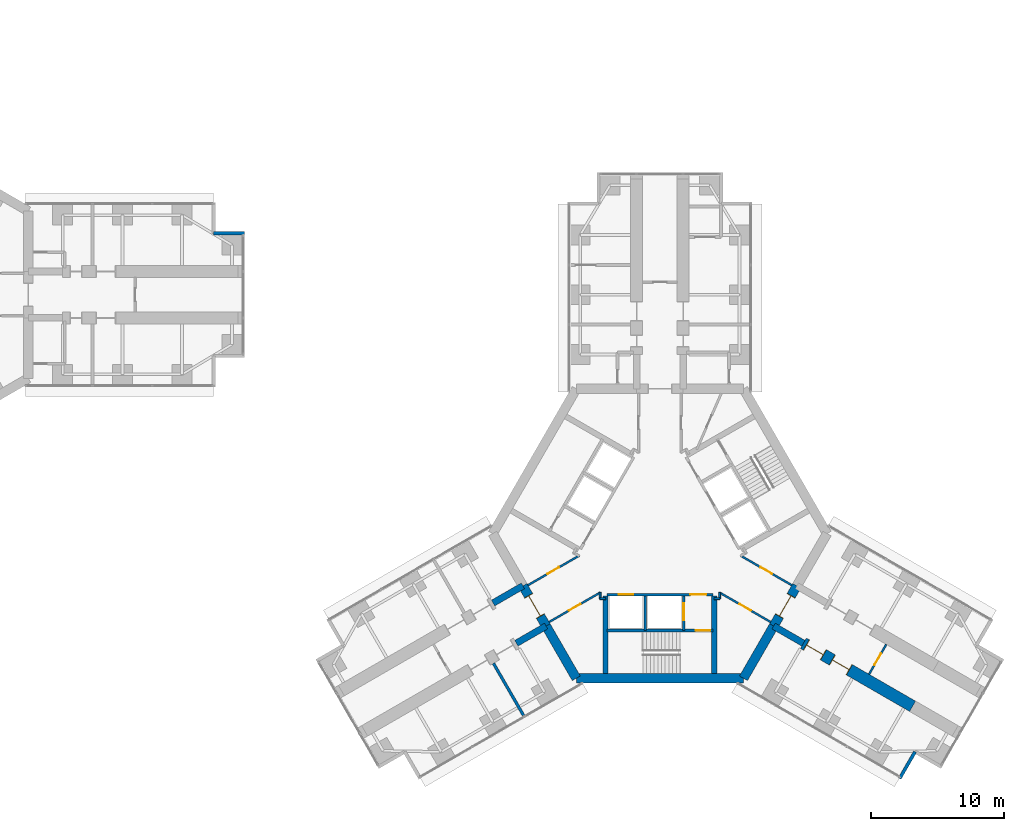
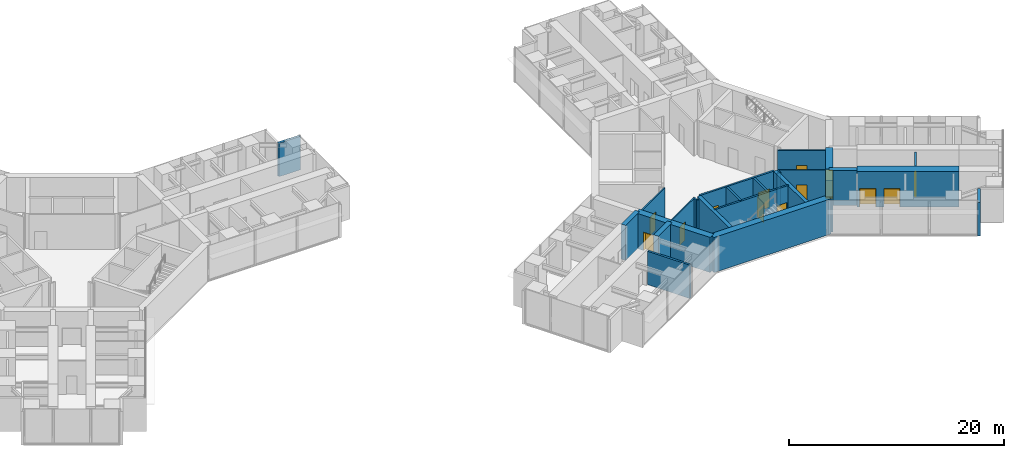
# One storey, part 19 of 23: 27 walls, 13 doors, 13 openings.
"""IFC4 building model written with IfcOpenShell, lengths in metres."""

from ifc_helpers import new_model, si_unit, direction, frame, frame_2d, origin, place, context, subcontext, project, spatial, rectangle, extrude, material, layer, layer_set, type_object, element, fill, save


model = new_model("IFC4")

# Units and contexts
model_context = context("Model", 3, precision=1e-05, world=origin(), true_north=direction((0.0, 1.0)))
body_context = subcontext(model_context, "Body", "Model", "MODEL_VIEW")
ifc_project = project(units=[si_unit("LENGTHUNIT", "METRE"), si_unit("AREAUNIT", "SQUARE_METRE"), si_unit("VOLUMEUNIT", "CUBIC_METRE"), si_unit("PLANEANGLEUNIT", "RADIAN"), si_unit("MASSUNIT", "GRAM", prefix="KILO")], contexts=[model_context])

# Site, building, storey
site_placement = place(None, origin())
site = spatial("IfcSite", under=ifc_project, at=site_placement, CompositionType="ELEMENT")
building_placement = place(site_placement, origin())
building = spatial("IfcBuilding", under=site, at=building_placement, Name="Upepo Twin Towers", CompositionType="ELEMENT")
storey_placement = place(building_placement, frame((0.0, 0.0, 32.5)))
storey = spatial("IfcBuildingStorey", under=building, at=storey_placement, Name="L07", CompositionType="ELEMENT", Elevation=32.5)

# Walls
ifc_material_1 = material(Name="Concrete blockwork, plastered both faces", Category="masonry")
ifc_layer_1 = layer(ifc_material_1, 0.215087890625)
ifc_layer_set_1 = layer_set([ifc_layer_1], Name="Blockwork partition 215")
wall_type_1 = type_object("IfcWallType", Name="Blockwork partition 215", PredefinedType="PARTITIONING", material=ifc_layer_set_1)
wall_1_placement = place(storey_placement, frame((45.960205078125, -27.7802734375, 0.0), z_axis=(0.0, 0.0, 1.0), x_axis=(0.499982560684, -0.866035472144, 0.0)))
element("IfcWall", 1, at=wall_1_placement, inside=storey, type_object=wall_type_1, Name="T2 partition BL at 15.75", PredefinedType="PARTITIONING", context=body_context, shape_type="SweptSolid", body=[
    extrude(rectangle(XDim=4.550048828125, YDim=0.215087890625, at=frame_2d((2.27490234375, 0.0))), origin(), (0.0, 0.0, 1.0), 3.800048828125),
])
ifc_material_2 = material(Name="Concrete C60/75", Category="concrete")
ifc_layer_2 = layer(ifc_material_2, 0.5)
ifc_layer_set_2 = layer_set([ifc_layer_2], Name="Concrete C60/75")
wall_type_2 = type_object("IfcWallType", Name="Buttress wall 500 RC", PredefinedType="SHEAR", material=ifc_layer_set_2)
for number, where, z_axis, x_axis, name in (
    (2, (49.92822265625, -24.9697265625, 0.0), (0.0, 0.0, 1.0), (-0.866031863473, -0.499988811324, 0.0), "T2 wing B buttress wall L"),
    (3, (48.17822265625, -21.938720703125, 0.0), (0.0, 0.0, 1.0), (-0.866072649678, -0.499918158782, 0.0), "T2 wing B buttress wall R"),
    (4, (67.07177734375, -24.9697265625, 0.0), (0.0, 0.0, 1.0), (0.866031863473, -0.499988811324, 0.0), "T2 wing C buttress wall R"),
):
    element("IfcWall", number, at=place(storey_placement, frame(where, z_axis=z_axis, x_axis=x_axis)), inside=storey, type_object=wall_type_2, Name=name, PredefinedType="SHEAR", context=body_context, shape_type="SweptSolid", body=[
        extrude(rectangle(XDim=2.591796875, YDim=0.5, at=frame_2d((1.2958984375, 0.0))), origin(), (0.0, 0.0, 1.0), 4.0),
    ])

# Wall, openings, doors
ifc_material_3 = material(Name="Concrete C60/75", Category="concrete")
ifc_layer_3 = layer(ifc_material_3, 0.89990234375)
ifc_layer_set_3 = layer_set([ifc_layer_3], Name="Concrete C60/75")
wall_type_3 = type_object("IfcWallType", Name="Buttress wall 900 RC", PredefinedType="SHEAR", material=ifc_layer_set_3)
wall_2_placement = place(storey_placement, frame((69.31640625, -26.265625, 0.0), z_axis=(0.0, 0.0, 1.0), x_axis=(0.86602681393, -0.499997557548, 0.0)))
wall_2 = element("IfcWall", 5, at=wall_2_placement, inside=storey, type_object=wall_type_3, Name="T2 wing C buttress wall R part 2", PredefinedType="SHEAR", context=body_context, shape_type="SweptSolid", body=[
    extrude(rectangle(XDim=9.5, YDim=0.89990234375, at=frame_2d((4.75, 0.0))), origin(), (0.0, 0.0, 1.0), 4.0),
])
opening_1_placement = place(wall_2_placement, frame((0.25, 0.0, 0.0)))
opening_1 = element("IfcOpeningElement", 6, at=opening_1_placement, cuts=wall_2, Name="Opening D13", PredefinedType="OPENING", context=body_context, shape_type="SweptSolid", body=[
    extrude(rectangle(XDim=1.5, YDim=2.10009765625, at=frame_2d((0.75, 1.050048828125))), frame((0.0, 0.4599609375, 0.0), z_axis=(0.0, -1.0, 0.0), x_axis=(1.0, 0.0, 0.0)), (0.0, 0.0, 1.0), 0.919921875),
])
opening_2_placement = place(wall_2_placement, frame((2.5, 0.0, 0.0)))
opening_2 = element("IfcOpeningElement", 7, at=opening_2_placement, cuts=wall_2, Name="Opening D13", PredefinedType="OPENING", context=body_context, shape_type="SweptSolid", body=[
    extrude(rectangle(XDim=1.5, YDim=2.10009765625, at=frame_2d((0.75, 1.050048828125))), frame((0.0, 0.4599609375, 0.0), z_axis=(0.0, -1.0, 0.0), x_axis=(1.0, 0.0, 0.0)), (0.0, 0.0, 1.0), 0.919921875),
])
ifc_material_4 = material(Name="Timber doorset", Category="wood")
door_type_1 = type_object("IfcDoorType", Name="Double door 1500 FD30", OperationType="DOUBLE_DOOR_SINGLE_SWING", PredefinedType="DOOR", material=ifc_material_4)
door_1_placement = place(opening_1_placement, origin())
door_1 = element("IfcDoor", 8, at=door_1_placement, inside=storey, type_object=door_type_1, Name="T2 L07 lecture room door", OperationType="DOUBLE_DOOR_SINGLE_SWING", OverallHeight=2.10009765625, OverallWidth=1.5, PredefinedType="DOOR", context=body_context, shape_type="SweptSolid", body=[
    extrude(rectangle(XDim=1.42, YDim=2.06009765625, at=frame_2d((0.75, 1.030029296875))), frame((0.0, 0.02490234375, 0.0), z_axis=(0.0, -1.0, 0.0), x_axis=(1.0, 0.0, 0.0)), (0.0, 0.0, 1.0), 0.050048828125),
    extrude(rectangle(XDim=0.04, YDim=2.10009765625, at=frame_2d((0.02001953125, 1.050048828125))), frame((0.0, 0.44970703125, 0.0), z_axis=(0.0, -1.0, 0.0), x_axis=(1.0, 0.0, 0.0)), (0.0, 0.0, 1.0), 0.8994140625),
    extrude(rectangle(XDim=0.04, YDim=2.10009765625, at=frame_2d((1.47998046875, 1.050048828125))), frame((0.0, 0.44970703125, 0.0), z_axis=(0.0, -1.0, 0.0), x_axis=(1.0, 0.0, 0.0)), (0.0, 0.0, 1.0), 0.8994140625),
    extrude(rectangle(XDim=1.42, YDim=0.04, at=frame_2d((0.75, 2.080078125))), frame((0.0, 0.44970703125, 0.0), z_axis=(0.0, -1.0, 0.0), x_axis=(1.0, 0.0, 0.0)), (0.0, 0.0, 1.0), 0.8994140625),
])
fill(opening_1, door_1)
door_2_placement = place(opening_2_placement, origin())
door_2 = element("IfcDoor", 9, at=door_2_placement, inside=storey, type_object=door_type_1, Name="T2 L07 lecture room door", OperationType="DOUBLE_DOOR_SINGLE_SWING", OverallHeight=2.10009765625, OverallWidth=1.5, PredefinedType="DOOR", context=body_context, shape_type="SweptSolid", body=[
    extrude(rectangle(XDim=1.42, YDim=2.06009765625, at=frame_2d((0.75, 1.030029296875))), frame((0.0, 0.02490234375, 0.0), z_axis=(0.0, -1.0, 0.0), x_axis=(1.0, 0.0, 0.0)), (0.0, 0.0, 1.0), 0.050048828125),
    extrude(rectangle(XDim=0.04, YDim=2.10009765625, at=frame_2d((0.02001953125, 1.050048828125))), frame((0.0, 0.44970703125, 0.0), z_axis=(0.0, -1.0, 0.0), x_axis=(1.0, 0.0, 0.0)), (0.0, 0.0, 1.0), 0.8994140625),
    extrude(rectangle(XDim=0.04, YDim=2.10009765625, at=frame_2d((1.47998046875, 1.050048828125))), frame((0.0, 0.44970703125, 0.0), z_axis=(0.0, -1.0, 0.0), x_axis=(1.0, 0.0, 0.0)), (0.0, 0.0, 1.0), 0.8994140625),
    extrude(rectangle(XDim=1.42, YDim=0.04, at=frame_2d((0.75, 2.080078125))), frame((0.0, 0.44970703125, 0.0), z_axis=(0.0, -1.0, 0.0), x_axis=(1.0, 0.0, 0.0)), (0.0, 0.0, 1.0), 0.8994140625),
])
fill(opening_2, door_2)

# Wall, opening, door
ifc_material_5 = material(Name="Concrete C60/75", Category="concrete")
ifc_layer_4 = layer(ifc_material_5, 0.699951171875)
ifc_layer_set_4 = layer_set([ifc_layer_4], Name="Concrete C60/75")
wall_type_4 = type_object("IfcWallType", Name="Core wall 700 RC", PredefinedType="SHEAR", material=ifc_layer_set_4)
wall_3_placement = place(storey_placement, frame((48.17822265625, -21.938720703125, 0.0), z_axis=(0.0, 0.0, 1.0), x_axis=(0.500010275428, -0.866019471182, 0.0)))
wall_3 = element("IfcWall", 10, at=wall_3_placement, inside=storey, type_object=wall_type_4, Name="T2 core wall 120", PredefinedType="SHEAR", context=body_context, shape_type="SweptSolid", body=[
    extrude(rectangle(XDim=3.5, YDim=0.699951171875, at=frame_2d((1.75, 0.0))), origin(), (0.0, 0.0, 1.0), 4.0),
])
opening_3_placement = place(wall_3_placement, frame((0.85009765625, 0.0, 0.0)))
opening_3 = element("IfcOpeningElement", 11, at=opening_3_placement, cuts=wall_3, Name="Opening D2", PredefinedType="OPENING", context=body_context, shape_type="SweptSolid", body=[
    extrude(rectangle(XDim=1.800048828125, YDim=2.10009765625, at=frame_2d((0.89990234375, 1.050048828125))), frame((0.0, 0.35986328125, 0.0), z_axis=(0.0, -1.0, 0.0), x_axis=(1.0, 0.0, 0.0)), (0.0, 0.0, 1.0), 0.719970703125),
])
ifc_material_6 = material(Name="Timber doorset", Category="wood")
door_type_2 = type_object("IfcDoorType", Name="Corridor double door 1800 FD60", OperationType="DOUBLE_DOOR_DOUBLE_SWING", PredefinedType="DOOR", material=ifc_material_6)
door_3_placement = place(opening_3_placement, origin())
door_3 = element("IfcDoor", 12, at=door_3_placement, inside=storey, type_object=door_type_2, Name="T2 L07 wing B corridor door", OperationType="DOUBLE_DOOR_DOUBLE_SWING", OverallHeight=2.10009765625, OverallWidth=1.800048828125, PredefinedType="DOOR", context=body_context, shape_type="SweptSolid", body=[
    extrude(rectangle(XDim=1.720048828125, YDim=2.06009765625, at=frame_2d((0.89990234375, 1.030029296875))), frame((0.0, 0.02490234375, 0.0), z_axis=(0.0, -1.0, 0.0), x_axis=(1.0, 0.0, 0.0)), (0.0, 0.0, 1.0), 0.050048828125),
    extrude(rectangle(XDim=0.04, YDim=2.10009765625, at=frame_2d((0.02001953125, 1.050048828125))), frame((0.0, 0.349609375, 0.0), z_axis=(0.0, -1.0, 0.0), x_axis=(1.0, 0.0, 0.0)), (0.0, 0.0, 1.0), 0.699462890625),
    extrude(rectangle(XDim=0.04, YDim=2.10009765625, at=frame_2d((1.780029296875, 1.050048828125))), frame((0.0, 0.349609375, 0.0), z_axis=(0.0, -1.0, 0.0), x_axis=(1.0, 0.0, 0.0)), (0.0, 0.0, 1.0), 0.699462890625),
    extrude(rectangle(XDim=1.720048828125, YDim=0.04, at=frame_2d((0.89990234375, 2.080078125))), frame((0.0, 0.349609375, 0.0), z_axis=(0.0, -1.0, 0.0), x_axis=(1.0, 0.0, 0.0)), (0.0, 0.0, 1.0), 0.699462890625),
])
fill(opening_3, door_3)

# Walls
wall_4_placement = place(storey_placement, frame((49.92822265625, -24.9697265625, 0.0), z_axis=(0.0, 0.0, 1.0), x_axis=(0.499984222037, -0.866034513004, 0.0)))
element("IfcWall", 13, at=wall_4_placement, inside=storey, type_object=wall_type_4, Name="T2 core wall 120 L", PredefinedType="SHEAR", context=body_context, shape_type="SweptSolid", body=[
    extrude(rectangle(XDim=4.548095703125, YDim=0.699951171875, at=frame_2d((2.27392578125, 0.0))), origin(), (0.0, 0.0, 1.0), 4.0),
])
wall_5_placement = place(storey_placement, frame((52.2021484375, -28.908447265625, 0.0), z_axis=(0.0, 0.0, 1.0), x_axis=(1.0, 0.0, 0.0)))
element("IfcWall", 14, at=wall_5_placement, inside=storey, type_object=wall_type_4, Name="T2 core wall 180", PredefinedType="SHEAR", context=body_context, shape_type="SweptSolid", body=[
    extrude(rectangle(XDim=12.595703125, YDim=0.699951171875, at=frame_2d((6.2978515625, 0.0))), origin(), (0.0, 0.0, 1.0), 4.0),
])
wall_6_placement = place(storey_placement, frame((64.7978515625, -28.908447265625, 0.0), z_axis=(0.0, 0.0, 1.0), x_axis=(0.499984222037, 0.866034513004, 0.0)))
element("IfcWall", 15, at=wall_6_placement, inside=storey, type_object=wall_type_4, Name="T2 core wall 240 R", PredefinedType="SHEAR", context=body_context, shape_type="SweptSolid", body=[
    extrude(rectangle(XDim=4.548095703125, YDim=0.699951171875, at=frame_2d((2.27392578125, 0.0))), origin(), (0.0, 0.0, 1.0), 4.0),
])

# Wall, opening, door
wall_7_placement = place(storey_placement, frame((67.07177734375, -24.9697265625, 0.0), z_axis=(0.0, 0.0, 1.0), x_axis=(0.500010275428, 0.866019471182, 0.0)))
wall_7 = element("IfcWall", 16, at=wall_7_placement, inside=storey, type_object=wall_type_4, Name="T2 core wall 240", PredefinedType="SHEAR", context=body_context, shape_type="SweptSolid", body=[
    extrude(rectangle(XDim=3.5, YDim=0.699951171875, at=frame_2d((1.75, 0.0))), origin(), (0.0, 0.0, 1.0), 4.0),
])
opening_4_placement = place(wall_7_placement, frame((0.85009765625, 0.0, 0.0)))
opening_4 = element("IfcOpeningElement", 17, at=opening_4_placement, cuts=wall_7, Name="Opening D2", PredefinedType="OPENING", context=body_context, shape_type="SweptSolid", body=[
    extrude(rectangle(XDim=1.800048828125, YDim=2.10009765625, at=frame_2d((0.89990234375, 1.050048828125))), frame((0.0, 0.35986328125, 0.0), z_axis=(0.0, -1.0, 0.0), x_axis=(1.0, 0.0, 0.0)), (0.0, 0.0, 1.0), 0.719970703125),
])
door_4_placement = place(opening_4_placement, origin())
door_4 = element("IfcDoor", 18, at=door_4_placement, inside=storey, type_object=door_type_2, Name="T2 L07 wing C corridor door", OperationType="DOUBLE_DOOR_DOUBLE_SWING", OverallHeight=2.10009765625, OverallWidth=1.800048828125, PredefinedType="DOOR", context=body_context, shape_type="SweptSolid", body=[
    extrude(rectangle(XDim=1.720048828125, YDim=2.06009765625, at=frame_2d((0.89990234375, 1.030029296875))), frame((0.0, 0.02490234375, 0.0), z_axis=(0.0, -1.0, 0.0), x_axis=(1.0, 0.0, 0.0)), (0.0, 0.0, 1.0), 0.050048828125),
    extrude(rectangle(XDim=0.04, YDim=2.10009765625, at=frame_2d((0.02001953125, 1.050048828125))), frame((0.0, 0.349609375, 0.0), z_axis=(0.0, -1.0, 0.0), x_axis=(1.0, 0.0, 0.0)), (0.0, 0.0, 1.0), 0.699462890625),
    extrude(rectangle(XDim=0.04, YDim=2.10009765625, at=frame_2d((1.780029296875, 1.050048828125))), frame((0.0, 0.349609375, 0.0), z_axis=(0.0, -1.0, 0.0), x_axis=(1.0, 0.0, 0.0)), (0.0, 0.0, 1.0), 0.699462890625),
    extrude(rectangle(XDim=1.720048828125, YDim=0.04, at=frame_2d((0.89990234375, 2.080078125))), frame((0.0, 0.349609375, 0.0), z_axis=(0.0, -1.0, 0.0), x_axis=(1.0, 0.0, 0.0)), (0.0, 0.0, 1.0), 0.699462890625),
])
fill(opening_4, door_4)

# Walls
ifc_material_7 = material(Name="Blockwork with anodised aluminium cladding", Category="masonry")
ifc_layer_5 = layer(ifc_material_7, 0.25)
ifc_layer_set_5 = layer_set([ifc_layer_5], Name="Notch cladding wall 250, pale metal")
wall_type_5 = type_object("IfcWallType", Name="Notch cladding wall 250, pale metal", PredefinedType="STANDARD", material=ifc_layer_set_5)
for number, where, z_axis, x_axis, name in (
    (19, (24.875, 4.625, 0.0), (0.0, 0.0, 1.0), (1.0, 0.0, 0.0), "T1 L07 wing A notch wall L2"),
    (20, (76.5673828125, -36.456298828125, 0.0), (0.0, 0.0, 1.0), (0.500046648681, 0.865998469481, 0.0), "T2 L07 wing C notch wall R1"),
):
    element("IfcWall", number, at=place(storey_placement, frame(where, z_axis=z_axis, x_axis=x_axis)), inside=storey, type_object=wall_type_5, Name=name, PredefinedType="STANDARD", context=body_context, shape_type="SweptSolid", body=[
        extrude(rectangle(XDim=2.324951171875, YDim=0.25, at=frame_2d((1.16259765625, 0.0))), origin(), (0.0, 0.0, 1.0), 3.800048828125),
    ])

# Wall, openings, doors
ifc_material_8 = material(Name="Concrete C40/50", Category="concrete")
ifc_layer_6 = layer(ifc_material_8, 0.199951171875)
ifc_layer_set_6 = layer_set([ifc_layer_6], Name="Concrete C40/50")
wall_type_6 = type_object("IfcWallType", Name="Shaft wall 200 RC", PredefinedType="SHEAR", material=ifc_layer_set_6)
wall_8_placement = place(storey_placement, frame((54.5, -22.60009765625, 0.0), z_axis=(0.0, 0.0, 1.0), x_axis=(1.0, 0.0, 0.0)))
wall_8 = element("IfcWall", 21, at=wall_8_placement, inside=storey, type_object=wall_type_6, Name="T2 core W180 front wall", PredefinedType="SHEAR", context=body_context, shape_type="SweptSolid", body=[
    extrude(rectangle(XDim=8.0, YDim=0.199951171875, at=frame_2d((4.0, 0.0))), origin(), (0.0, 0.0, 1.0), 4.0),
])
opening_5_placement = place(wall_8_placement, frame((6.300048828125, 0.0, 0.0)))
opening_5 = element("IfcOpeningElement", 22, at=opening_5_placement, cuts=wall_8, Name="Opening D4", PredefinedType="OPENING", context=body_context, shape_type="SweptSolid", body=[
    extrude(rectangle(XDim=1.199951171875, YDim=2.10009765625, at=frame_2d((0.60009765625, 1.050048828125))), frame((0.0, 0.10986328125, 0.0), z_axis=(0.0, -1.0, 0.0), x_axis=(1.0, 0.0, 0.0)), (0.0, 0.0, 1.0), 0.219970703125),
])
opening_6_placement = place(wall_8_placement, frame((0.89990234375, 0.0, 0.0)))
opening_6 = element("IfcOpeningElement", 23, at=opening_6_placement, cuts=wall_8, Name="Opening LD1", PredefinedType="OPENING", context=body_context, shape_type="SweptSolid", body=[
    extrude(rectangle(XDim=1.10009765625, YDim=2.199951171875, at=frame_2d((0.550048828125, 1.10009765625))), frame((0.0, 0.10986328125, 0.0), z_axis=(0.0, -1.0, 0.0), x_axis=(1.0, 0.0, 0.0)), (0.0, 0.0, 1.0), 0.219970703125),
])
ifc_material_9 = material(Name="Steel doorset", Category="steel")
door_type_3 = type_object("IfcDoorType", Name="Lift landing door 1100", OperationType="DOUBLE_DOOR_SLIDING", PredefinedType="DOOR", material=ifc_material_9)
door_5_placement = place(opening_6_placement, origin())
door_5 = element("IfcDoor", 24, at=door_5_placement, inside=storey, type_object=door_type_3, Name="T2 L07 lift SV1 landing door", OperationType="DOUBLE_DOOR_SLIDING", OverallHeight=2.199951171875, OverallWidth=1.10009765625, PredefinedType="DOOR", context=body_context, shape_type="SweptSolid", body=[
    extrude(rectangle(XDim=1.10009765625, YDim=2.199951171875, at=frame_2d((0.550048828125, 1.10009765625))), frame((0.0, 0.02490234375, 0.0), z_axis=(0.0, -1.0, 0.0), x_axis=(1.0, 0.0, 0.0)), (0.0, 0.0, 1.0), 0.050048828125),
])
fill(opening_6, door_5)
ifc_material_10 = material(Name="Timber doorset", Category="wood")
door_type_4 = type_object("IfcDoorType", Name="Lobby door 1200 FD60", OperationType="SINGLE_SWING_LEFT", PredefinedType="DOOR", material=ifc_material_10)
door_6_placement = place(opening_5_placement, origin())
door_6 = element("IfcDoor", 25, at=door_6_placement, inside=storey, type_object=door_type_4, Name="T2 L07 W180 lobby door", OperationType="SINGLE_SWING_RIGHT", OverallHeight=2.10009765625, OverallWidth=1.199951171875, PredefinedType="DOOR", context=body_context, shape_type="SweptSolid", body=[
    extrude(rectangle(XDim=1.199951171875, YDim=2.10009765625, at=frame_2d((0.60009765625, 1.050048828125))), frame((0.0, 0.02490234375, 0.0), z_axis=(0.0, -1.0, 0.0), x_axis=(1.0, 0.0, 0.0)), (0.0, 0.0, 1.0), 0.050048828125),
])
fill(opening_5, door_6)

# Wall
wall_9_placement = place(storey_placement, frame((57.39990234375, -22.699951171875, 0.0), z_axis=(0.0, 0.0, 1.0), x_axis=(0.0, -1.0, 0.0)))
element("IfcWall", 26, at=wall_9_placement, inside=storey, type_object=wall_type_6, Name="T2 core W180 shaft divider", PredefinedType="SHEAR", context=body_context, shape_type="SweptSolid", body=[
    extrude(rectangle(XDim=2.60009765625, YDim=0.199951171875, at=frame_2d((1.300048828125, 0.0))), origin(), (0.0, 0.0, 1.0), 4.0),
])

# Wall, opening, door
wall_10_placement = place(storey_placement, frame((60.300048828125, -22.699951171875, 0.0), z_axis=(0.0, 0.0, 1.0), x_axis=(0.0, -1.0, 0.0)))
wall_10 = element("IfcWall", 27, at=wall_10_placement, inside=storey, type_object=wall_type_6, Name="T2 core W180 lobby wall", PredefinedType="SHEAR", context=body_context, shape_type="SweptSolid", body=[
    extrude(rectangle(XDim=2.60009765625, YDim=0.199951171875, at=frame_2d((1.300048828125, 0.0))), origin(), (0.0, 0.0, 1.0), 4.0),
])
opening_7_placement = place(wall_10_placement, frame((0.550048828125, 0.0, 0.0)))
opening_7 = element("IfcOpeningElement", 28, at=opening_7_placement, cuts=wall_10, Name="Opening LD2", PredefinedType="OPENING", context=body_context, shape_type="SweptSolid", body=[
    extrude(rectangle(XDim=1.300048828125, YDim=2.199951171875, at=frame_2d((0.64990234375, 1.10009765625))), frame((0.0, 0.10986328125, 0.0), z_axis=(0.0, -1.0, 0.0), x_axis=(1.0, 0.0, 0.0)), (0.0, 0.0, 1.0), 0.219970703125),
])
ifc_material_11 = material(Name="Steel doorset", Category="steel")
door_type_5 = type_object("IfcDoorType", Name="Firefighting lift landing door 1300", OperationType="DOUBLE_DOOR_SLIDING", PredefinedType="DOOR", material=ifc_material_11)
door_7_placement = place(opening_7_placement, origin())
door_7 = element("IfcDoor", 29, at=door_7_placement, inside=storey, type_object=door_type_5, Name="T2 L07 firefighting lift landing door", OperationType="DOUBLE_DOOR_SLIDING", OverallHeight=2.199951171875, OverallWidth=1.300048828125, PredefinedType="DOOR", context=body_context, shape_type="SweptSolid", body=[
    extrude(rectangle(XDim=1.300048828125, YDim=2.199951171875, at=frame_2d((0.64990234375, 1.10009765625))), frame((0.0, 0.02490234375, 0.0), z_axis=(0.0, -1.0, 0.0), x_axis=(1.0, 0.0, 0.0)), (0.0, 0.0, 1.0), 0.050048828125),
])
fill(opening_7, door_7)

wall_11_placement = place(storey_placement, frame((54.5, -25.300048828125, 0.0), z_axis=(0.0, 0.0, 1.0), x_axis=(1.0, 0.0, 0.0)))
wall_11 = element("IfcWall", 30, at=wall_11_placement, inside=storey, type_object=wall_type_6, Name="T2 core W180 stair wall", PredefinedType="SHEAR", context=body_context, shape_type="SweptSolid", body=[
    extrude(rectangle(XDim=8.0, YDim=0.199951171875, at=frame_2d((4.0, 0.0))), origin(), (0.0, 0.0, 1.0), 4.0),
])
opening_8_placement = place(wall_11_placement, frame((6.699951171875, 0.0, 0.0)))
opening_8 = element("IfcOpeningElement", 31, at=opening_8_placement, cuts=wall_11, Name="Opening D3", PredefinedType="OPENING", context=body_context, shape_type="SweptSolid", body=[
    extrude(rectangle(XDim=1.10009765625, YDim=2.10009765625, at=frame_2d((0.550048828125, 1.050048828125))), frame((0.0, 0.10986328125, 0.0), z_axis=(0.0, -1.0, 0.0), x_axis=(1.0, 0.0, 0.0)), (0.0, 0.0, 1.0), 0.219970703125),
])
ifc_material_12 = material(Name="Timber doorset", Category="wood")
door_type_6 = type_object("IfcDoorType", Name="Stair door 1100 FD60", OperationType="SINGLE_SWING_LEFT", PredefinedType="DOOR", material=ifc_material_12)
door_8_placement = place(opening_8_placement, origin())
door_8 = element("IfcDoor", 32, at=door_8_placement, inside=storey, type_object=door_type_6, Name="T2 L07 stair door", OperationType="SINGLE_SWING_RIGHT", OverallHeight=2.10009765625, OverallWidth=1.10009765625, PredefinedType="DOOR", context=body_context, shape_type="SweptSolid", body=[
    extrude(rectangle(XDim=1.10009765625, YDim=2.10009765625, at=frame_2d((0.550048828125, 1.050048828125))), frame((0.0, 0.02490234375, 0.0), z_axis=(0.0, -1.0, 0.0), x_axis=(1.0, 0.0, 0.0)), (0.0, 0.0, 1.0), 0.050048828125),
])
fill(opening_8, door_8)

# Walls
ifc_material_13 = material(Name="Concrete C40/50", Category="concrete")
ifc_layer_7 = layer(ifc_material_13, 0.39990234375)
ifc_layer_set_7 = layer_set([ifc_layer_7], Name="Concrete C40/50")
wall_type_7 = type_object("IfcWallType", Name="Shaft wall 400 RC", PredefinedType="SHEAR", material=ifc_layer_set_7)
for number, where, z_axis, x_axis, name in (
    (33, (62.60009765625, -22.699951171875, 0.0), (0.0, 0.0, 1.0), (0.0, -1.0, 0.0), "T2 core W180 side wall N"),
    (34, (54.39990234375, -22.699951171875, 0.0), (0.0, 0.0, 1.0), (0.0, -1.0, 0.0), "T2 core W180 side wall S"),
):
    element("IfcWall", number, at=place(storey_placement, frame(where, z_axis=z_axis, x_axis=x_axis)), inside=storey, type_object=wall_type_7, Name=name, PredefinedType="SHEAR", context=body_context, shape_type="SweptSolid", body=[
        extrude(rectangle(XDim=5.8583984375, YDim=0.39990234375, at=frame_2d((2.92919921875, 0.0))), origin(), (0.0, 0.0, 1.0), 4.0),
    ])
ifc_material_14 = material(Name="Gypsum board on steel studs", Category="steel")
ifc_layer_8 = layer(ifc_material_14, 0.14990234375)
ifc_layer_set_8 = layer_set([ifc_layer_8], Name="Teaching partition 150 acoustic")
wall_type_8 = type_object("IfcWallType", Name="Teaching partition 150 acoustic", PredefinedType="PARTITIONING", material=ifc_layer_set_8)
wall_12_placement = place(storey_placement, frame((54.0, -22.919921875, 0.0), z_axis=(0.0, 0.0, 1.0), x_axis=(0.0, 1.0, 0.0)))
element("IfcWall", 35, at=wall_12_placement, inside=storey, type_object=wall_type_8, Name="T2 core room partition 1", PredefinedType="PARTITIONING", context=body_context, shape_type="SweptSolid", body=[
    extrude(rectangle(XDim=0.494384765625, YDim=0.14990234375, at=frame_2d((0.2470703125, 0.0))), origin(), (0.0, 0.0, 1.0), 3.800048828125),
])

# Wall, opening, door
wall_13_placement = place(storey_placement, frame((54.017333984375, -22.435546875, 0.0), z_axis=(0.0, 0.0, 1.0), x_axis=(-0.866015446554, -0.500017246033, 0.0)))
wall_13 = element("IfcWall", 36, at=wall_13_placement, inside=storey, type_object=wall_type_8, Name="T2 core room partition 2", PredefinedType="PARTITIONING", context=body_context, shape_type="SweptSolid", body=[
    extrude(rectangle(XDim=4.468505859375, YDim=0.14990234375, at=frame_2d((2.234375, 0.0))), origin(), (0.0, 0.0, 1.0), 3.800048828125),
])
opening_9_placement = place(wall_13_placement, frame((1.744384765625, 0.0, 0.0)))
opening_9 = element("IfcOpeningElement", 37, at=opening_9_placement, cuts=wall_13, Name="Opening D1", PredefinedType="OPENING", context=body_context, shape_type="SweptSolid", body=[
    extrude(rectangle(XDim=1.0, YDim=2.10009765625, at=frame_2d((0.5, 1.050048828125))), frame((0.0, 0.0849609375, 0.0), z_axis=(0.0, -1.0, 0.0), x_axis=(1.0, 0.0, 0.0)), (0.0, 0.0, 1.0), 0.169921875),
])
ifc_material_15 = material(Name="Timber doorset", Category="wood")
door_type_7 = type_object("IfcDoorType", Name="Room door 1000 FD30", OperationType="SINGLE_SWING_LEFT", PredefinedType="DOOR", material=ifc_material_15)
door_9_placement = place(opening_9_placement, origin())
door_9 = element("IfcDoor", 38, at=door_9_placement, inside=storey, type_object=door_type_7, Name="T2 L07 core room door K2", OperationType="SINGLE_SWING_RIGHT", OverallHeight=2.10009765625, OverallWidth=1.0, PredefinedType="DOOR", context=body_context, shape_type="SweptSolid", body=[
    extrude(rectangle(XDim=1.0, YDim=2.10009765625, at=frame_2d((0.5, 1.050048828125))), frame((0.0, 0.02490234375, 0.0), z_axis=(0.0, -1.0, 0.0), x_axis=(1.0, 0.0, 0.0)), (0.0, 0.0, 1.0), 0.050048828125),
])
fill(opening_9, door_9)

wall_14_placement = place(storey_placement, frame((48.547607421875, -21.8984375, 0.0), z_axis=(0.0, 0.0, 1.0), x_axis=(0.866025445582, 0.499999927604, 0.0)))
wall_14 = element("IfcWall", 39, at=wall_14_placement, inside=storey, type_object=wall_type_8, Name="T2 core room partition 3", PredefinedType="PARTITIONING", context=body_context, shape_type="SweptSolid", body=[
    extrude(rectangle(XDim=4.46826171875, YDim=0.14990234375, at=frame_2d((2.234130859375, 0.0))), origin(), (0.0, 0.0, 1.0), 3.800048828125),
])
opening_10_placement = place(wall_14_placement, frame((1.72412109375, 0.0, 0.0)))
opening_10 = element("IfcOpeningElement", 40, at=opening_10_placement, cuts=wall_14, Name="Opening D1", PredefinedType="OPENING", context=body_context, shape_type="SweptSolid", body=[
    extrude(rectangle(XDim=1.0, YDim=2.10009765625, at=frame_2d((0.5, 1.050048828125))), frame((0.0, 0.0849609375, 0.0), z_axis=(0.0, -1.0, 0.0), x_axis=(1.0, 0.0, 0.0)), (0.0, 0.0, 1.0), 0.169921875),
])
door_10_placement = place(opening_10_placement, origin())
door_10 = element("IfcDoor", 41, at=door_10_placement, inside=storey, type_object=door_type_7, Name="T2 L07 core room door K1", OperationType="SINGLE_SWING_LEFT", OverallHeight=2.10009765625, OverallWidth=1.0, PredefinedType="DOOR", context=body_context, shape_type="SweptSolid", body=[
    extrude(rectangle(XDim=1.0, YDim=2.10009765625, at=frame_2d((0.5, 1.050048828125))), frame((0.0, 0.02490234375, 0.0), z_axis=(0.0, -1.0, 0.0), x_axis=(1.0, 0.0, 0.0)), (0.0, 0.0, 1.0), 0.050048828125),
])
fill(opening_10, door_10)

wall_15_placement = place(storey_placement, frame((64.582763671875, -19.664306640625, 0.0), z_axis=(0.0, 0.0, 1.0), x_axis=(0.866025445582, -0.499999927604, 0.0)))
wall_15 = element("IfcWall", 42, at=wall_15_placement, inside=storey, type_object=wall_type_8, Name="T2 core room partition 14", PredefinedType="PARTITIONING", context=body_context, shape_type="SweptSolid", body=[
    extrude(rectangle(XDim=4.46826171875, YDim=0.14990234375, at=frame_2d((2.234130859375, 0.0))), origin(), (0.0, 0.0, 1.0), 3.800048828125),
])
opening_11_placement = place(wall_15_placement, frame((1.744384765625, 0.0, 0.0)))
opening_11 = element("IfcOpeningElement", 43, at=opening_11_placement, cuts=wall_15, Name="Opening D1", PredefinedType="OPENING", context=body_context, shape_type="SweptSolid", body=[
    extrude(rectangle(XDim=1.0, YDim=2.10009765625, at=frame_2d((0.5, 1.050048828125))), frame((0.0, 0.0849609375, 0.0), z_axis=(0.0, -1.0, 0.0), x_axis=(1.0, 0.0, 0.0)), (0.0, 0.0, 1.0), 0.169921875),
])
door_11_placement = place(opening_11_placement, origin())
door_11 = element("IfcDoor", 44, at=door_11_placement, inside=storey, type_object=door_type_7, Name="T2 L07 core room door K4", OperationType="SINGLE_SWING_RIGHT", OverallHeight=2.10009765625, OverallWidth=1.0, PredefinedType="DOOR", context=body_context, shape_type="SweptSolid", body=[
    extrude(rectangle(XDim=1.0, YDim=2.10009765625, at=frame_2d((0.5, 1.050048828125))), frame((0.0, 0.02490234375, 0.0), z_axis=(0.0, -1.0, 0.0), x_axis=(1.0, 0.0, 0.0)), (0.0, 0.0, 1.0), 0.050048828125),
])
fill(opening_11, door_11)

wall_16_placement = place(storey_placement, frame((66.8525390625, -24.669921875, 0.0), z_axis=(0.0, 0.0, 1.0), x_axis=(-0.866015446554, 0.500017246033, 0.0)))
wall_16 = element("IfcWall", 45, at=wall_16_placement, inside=storey, type_object=wall_type_8, Name="T2 core room partition 15", PredefinedType="PARTITIONING", context=body_context, shape_type="SweptSolid", body=[
    extrude(rectangle(XDim=4.468505859375, YDim=0.14990234375, at=frame_2d((2.234375, 0.0))), origin(), (0.0, 0.0, 1.0), 3.800048828125),
])
opening_12_placement = place(wall_16_placement, frame((1.72412109375, 0.0, 0.0)))
opening_12 = element("IfcOpeningElement", 46, at=opening_12_placement, cuts=wall_16, Name="Opening D1", PredefinedType="OPENING", context=body_context, shape_type="SweptSolid", body=[
    extrude(rectangle(XDim=1.0, YDim=2.10009765625, at=frame_2d((0.5, 1.050048828125))), frame((0.0, 0.0849609375, 0.0), z_axis=(0.0, -1.0, 0.0), x_axis=(1.0, 0.0, 0.0)), (0.0, 0.0, 1.0), 0.169921875),
])
door_12_placement = place(opening_12_placement, origin())
door_12 = element("IfcDoor", 47, at=door_12_placement, inside=storey, type_object=door_type_7, Name="T2 L07 core room door K3", OperationType="SINGLE_SWING_LEFT", OverallHeight=2.10009765625, OverallWidth=1.0, PredefinedType="DOOR", context=body_context, shape_type="SweptSolid", body=[
    extrude(rectangle(XDim=1.0, YDim=2.10009765625, at=frame_2d((0.5, 1.050048828125))), frame((0.0, 0.02490234375, 0.0), z_axis=(0.0, -1.0, 0.0), x_axis=(1.0, 0.0, 0.0)), (0.0, 0.0, 1.0), 0.050048828125),
])
fill(opening_12, door_12)

# Walls
wall_17_placement = place(storey_placement, frame((63.0, -22.425537109375, 0.0), z_axis=(0.0, 0.0, 1.0), x_axis=(0.0, -1.0, 0.0)))
element("IfcWall", 48, at=wall_17_placement, inside=storey, type_object=wall_type_8, Name="T2 core room partition 16", PredefinedType="PARTITIONING", context=body_context, shape_type="SweptSolid", body=[
    extrude(rectangle(XDim=0.494384765625, YDim=0.14990234375, at=frame_2d((0.2470703125, 0.0))), origin(), (0.0, 0.0, 1.0), 3.800048828125),
])
for number, where, z_axis, x_axis, name in (
    (49, (63.02001953125, -22.89990234375, 0.0), (0.0, 0.0, 1.0), (-1.0, 0.0, 0.0), "T2 core room partition 17"),
    (50, (54.409912109375, -22.89990234375, 0.0), (0.0, 0.0, 1.0), (-1.0, 0.0, 0.0), "T2 core room partition 18"),
):
    element("IfcWall", number, at=place(storey_placement, frame(where, z_axis=z_axis, x_axis=x_axis)), inside=storey, type_object=wall_type_8, Name=name, PredefinedType="PARTITIONING", context=body_context, shape_type="SweptSolid", body=[
        extrude(rectangle(XDim=0.429931640625, YDim=0.14990234375, at=frame_2d((0.21484375, 0.0))), origin(), (0.0, 0.0, 1.0), 3.800048828125),
    ])

# Wall, opening, door
wall_18_placement = place(storey_placement, frame((74.26123046875, -28.600830078125, 0.0), z_axis=(0.0, 0.0, 1.0), x_axis=(0.500006934395, 0.866021400173, 0.0)))
wall_18 = element("IfcWall", 51, at=wall_18_placement, inside=storey, type_object=wall_type_8, Name="T2 corridor end partition C at 18.95", PredefinedType="PARTITIONING", context=body_context, shape_type="SweptSolid", body=[
    extrude(rectangle(XDim=2.60009765625, YDim=0.14990234375, at=frame_2d((1.300048828125, 0.0))), origin(), (0.0, 0.0, 1.0), 3.800048828125),
])
opening_13_placement = place(wall_18_placement, frame((0.800048828125, 0.0, 0.0)))
opening_13 = element("IfcOpeningElement", 52, at=opening_13_placement, cuts=wall_18, Name="Opening D1", PredefinedType="OPENING", context=body_context, shape_type="SweptSolid", body=[
    extrude(rectangle(XDim=1.0, YDim=2.10009765625, at=frame_2d((0.5, 1.050048828125))), frame((0.0, 0.0849609375, 0.0), z_axis=(0.0, -1.0, 0.0), x_axis=(1.0, 0.0, 0.0)), (0.0, 0.0, 1.0), 0.169921875),
])
door_13_placement = place(opening_13_placement, origin())
door_13 = element("IfcDoor", 53, at=door_13_placement, inside=storey, type_object=door_type_7, Name="T2 L07 breakout study room door", OperationType="SINGLE_SWING_LEFT", OverallHeight=2.10009765625, OverallWidth=1.0, PredefinedType="DOOR", context=body_context, shape_type="SweptSolid", body=[
    extrude(rectangle(XDim=1.0, YDim=2.10009765625, at=frame_2d((0.5, 1.050048828125))), frame((0.0, 0.02490234375, 0.0), z_axis=(0.0, -1.0, 0.0), x_axis=(1.0, 0.0, 0.0)), (0.0, 0.0, 1.0), 0.050048828125),
])
fill(opening_13, door_13)

save(model, "model.ifc")
